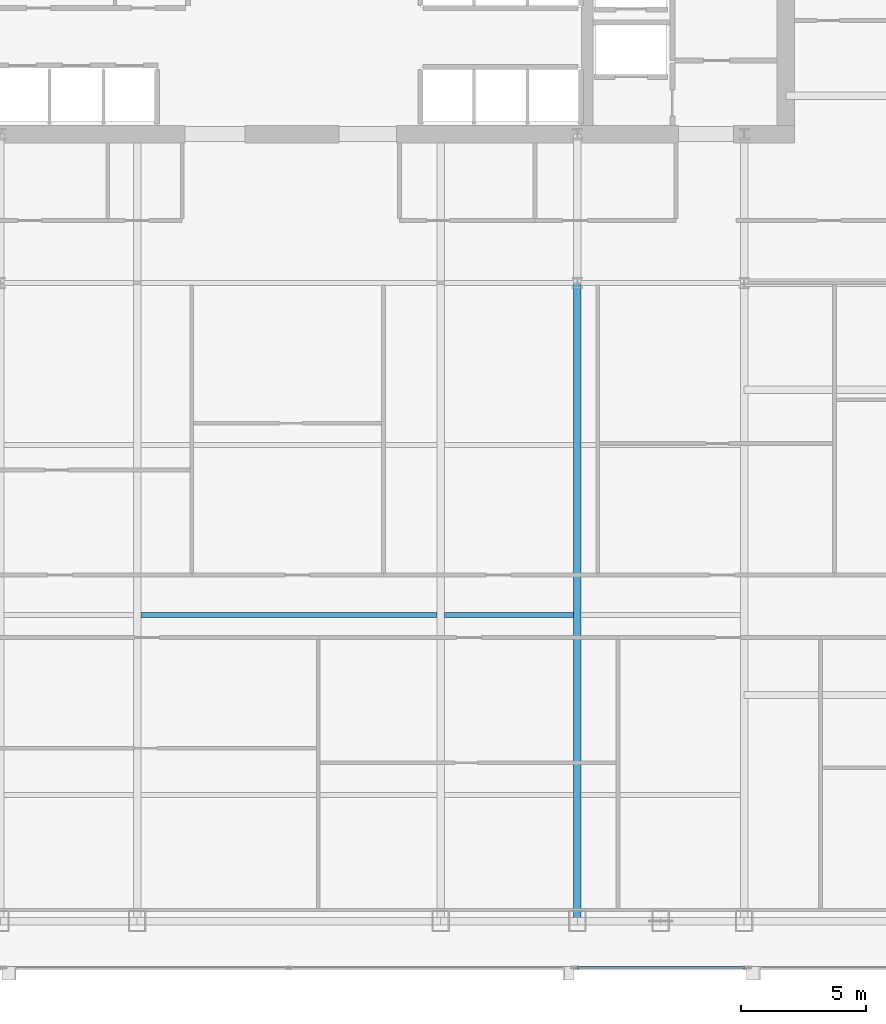
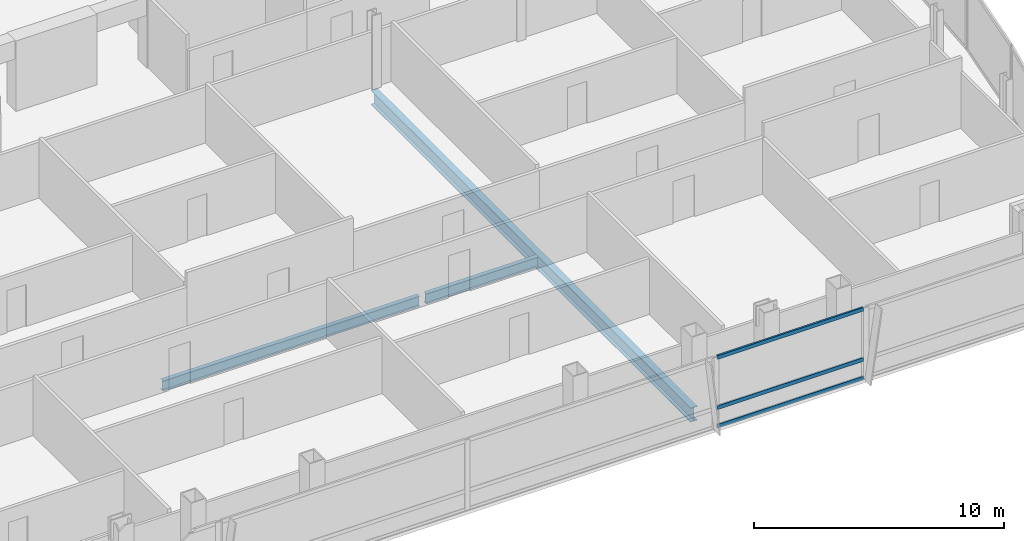
# One storey, part 14 of 29: 3 beams, 3 members, 1 element without a shape of its own.
"""IFC4 building model written with IfcOpenShell, lengths in metres."""

from ifc_helpers import new_model, si_unit, direction, frame, origin, origin_2d, place, context, subcontext, project, spatial, hollow_rectangle, i_section, extrude, material, material_profile, profile_set, type_object, element, aggregate, save


model = new_model("IFC4")

# Units and contexts
model_context = context("Model", 3, precision=1e-05, world=origin(), true_north=direction((0.0, 1.0)))
body_context = subcontext(model_context, "Body", "Model", "MODEL_VIEW")
ifc_project = project(units=[si_unit("LENGTHUNIT", "METRE"), si_unit("AREAUNIT", "SQUARE_METRE"), si_unit("VOLUMEUNIT", "CUBIC_METRE"), si_unit("PLANEANGLEUNIT", "RADIAN"), si_unit("MASSUNIT", "GRAM", prefix="KILO")], contexts=[model_context])

# Site, building, storey
site_placement = place(None, origin())
site = spatial("IfcSite", under=ifc_project, at=site_placement, CompositionType="ELEMENT")
building_placement = place(site_placement, origin())
building = spatial("IfcBuilding", under=site, at=building_placement, Name="Khoronbel Lancet Exchange", CompositionType="ELEMENT")
storey_placement = place(building_placement, frame((0.0, 0.0, 165.0)))
storey = spatial("IfcBuildingStorey", under=building, at=storey_placement, Name="L41", CompositionType="ELEMENT", Elevation=165.0)

# Beams
ifc_material_1 = material(Name="Steel S355", Category="steel")
ifc_material_profile_1 = material_profile(ifc_material_1, i_section(OverallWidth=0.300048828125, OverallDepth=0.699951171875, WebThickness=0.01708984375, FlangeThickness=0.031982421875, at=origin_2d()), Name="HEB 700")
ifc_profile_set_1 = profile_set([ifc_material_profile_1], Name="Steel S355")
beam_type_1 = type_object("IfcBeamType", Name="BM-BG3", PredefinedType="BEAM", material=ifc_profile_set_1)
beam_1_placement = place(storey_placement, frame((48.0, 10.14990234375, -0.510009765625), z_axis=(0.0, 1.0, 0.0), x_axis=(-1.0, 0.0, 0.0)))
element("IfcBeam", 1, at=beam_1_placement, inside=storey, type_object=beam_type_1, Name="Level L41 south primary girder GS5", PredefinedType="BEAM", context=body_context, shape_type="SweptSolid", body=[
    extrude(i_section(OverallWidth=0.300048828125, OverallDepth=0.699951171875, WebThickness=0.01708984375, FlangeThickness=0.031982421875, at=origin_2d()), origin(), (0.0, 0.0, 1.0), 25.550048828125),
])
ifc_material_profile_2 = material_profile(ifc_material_1, i_section(OverallWidth=0.199951171875, OverallDepth=0.5, WebThickness=0.01025390625, FlangeThickness=0.01611328125, at=origin_2d()), Name="IPE 500")
ifc_profile_set_2 = profile_set([ifc_material_profile_2], Name="Steel S355")
beam_type_2 = type_object("IfcBeamType", Name="BM-BJ3", PredefinedType="JOIST", material=ifc_profile_set_2)
beam_2_placement = place(storey_placement, frame((30.52490234375, 22.39990234375, -0.409912109375), z_axis=(1.0, 0.0, 0.0), x_axis=(0.0, 1.0, 0.0)))
element("IfcBeam", 2, at=beam_2_placement, inside=storey, type_object=beam_type_2, Name="Level L41 secondary composite joist J08", PredefinedType="JOIST", context=body_context, shape_type="SweptSolid", body=[
    extrude(i_section(OverallWidth=0.199951171875, OverallDepth=0.5, WebThickness=0.01025390625, FlangeThickness=0.01611328125, at=origin_2d()), origin(), (0.0, 0.0, 1.0), 11.85009765625),
])
beam_3_placement = place(storey_placement, frame((42.675048828125, 22.39990234375, -0.409912109375), z_axis=(1.0, 0.0, 0.0), x_axis=(0.0, 1.0, 0.0)))
element("IfcBeam", 3, at=beam_3_placement, inside=storey, type_object=beam_type_2, Name="Level L41 secondary composite joist J09", PredefinedType="JOIST", context=body_context, shape_type="SweptSolid", body=[
    extrude(i_section(OverallWidth=0.199951171875, OverallDepth=0.5, WebThickness=0.01025390625, FlangeThickness=0.01611328125, at=origin_2d()), origin(), (0.0, 0.0, 1.0), 5.175048828125),
])

# Curtain wall, members
ifc_material_2 = material(Name="Low-E Solar Control Insulating Glass", Category="glass")
curtain_wall_type = type_object("IfcCurtainWallType", Name="CW-3", PredefinedType="NOTDEFINED", material=ifc_material_2)
curtain_wall_placement = place(storey_placement, origin())
curtain_wall = element("IfcCurtainWall", 4, at=curtain_wall_placement, inside=storey, type_object=curtain_wall_type, Name="Unitised curtain wall CW-L41-SEB", PredefinedType="NOTDEFINED")
ifc_material_3 = material(Name="Bronze-Anodised Aluminium 6063-T6", Category="aluminium")
ifc_material_profile_3 = material_profile(ifc_material_3, hollow_rectangle(XDim=0.0849609375, YDim=0.179931640625, WallThickness=0.0048828125, at=origin_2d()), Name="ALU TRANSOM 85x180")
ifc_profile_set_3 = profile_set([ifc_material_profile_3], Name="Bronze-Anodised Aluminium 6063-T6")
member_type = type_object("IfcMemberType", Name="MEM-CWT1", PredefinedType="USERDEFINED", material=ifc_profile_set_3)
member_1_placement = place(storey_placement, frame((47.985107421875, 8.2900390625, 0.04248046875), z_axis=(1.0, 0.0, 0.0), x_axis=(0.0, 1.0, 0.0)))
member_1 = element("IfcMember", 5, at=member_1_placement, type_object=member_type, Name="CW3 transom 1.1", ObjectType="TRANSOM", PredefinedType="USERDEFINED", context=body_context, shape_type="SweptSolid", body=[
    extrude(hollow_rectangle(XDim=0.0849609375, YDim=0.179931640625, WallThickness=0.0048828125, at=origin_2d()), origin(), (0.0, 0.0, 1.0), 6.72998046875),
])
member_2_placement = place(storey_placement, frame((47.985107421875, 8.2900390625, 0.949951171875), z_axis=(1.0, 0.0, 0.0), x_axis=(0.0, 1.0, 0.0)))
member_2 = element("IfcMember", 6, at=member_2_placement, type_object=member_type, Name="CW3 transom 1.2", ObjectType="TRANSOM", PredefinedType="USERDEFINED", context=body_context, shape_type="SweptSolid", body=[
    extrude(hollow_rectangle(XDim=0.0849609375, YDim=0.179931640625, WallThickness=0.0048828125, at=origin_2d()), origin(), (0.0, 0.0, 1.0), 6.72998046875),
])
member_3_placement = place(storey_placement, frame((47.985107421875, 8.2900390625, 3.3974609375), z_axis=(1.0, 0.0, 0.0), x_axis=(0.0, 1.0, 0.0)))
member_3 = element("IfcMember", 7, at=member_3_placement, type_object=member_type, Name="CW3 transom 1.3", ObjectType="TRANSOM", PredefinedType="USERDEFINED", context=body_context, shape_type="SweptSolid", body=[
    extrude(hollow_rectangle(XDim=0.0849609375, YDim=0.179931640625, WallThickness=0.0048828125, at=origin_2d()), origin(), (0.0, 0.0, 1.0), 6.72998046875),
])
aggregate(curtain_wall, [member_1, member_2, member_3])

save(model, "model.ifc")
